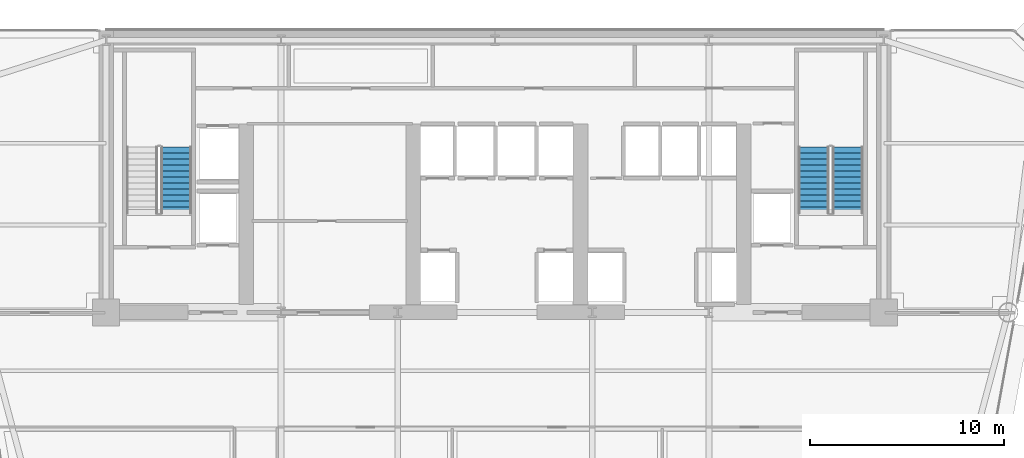
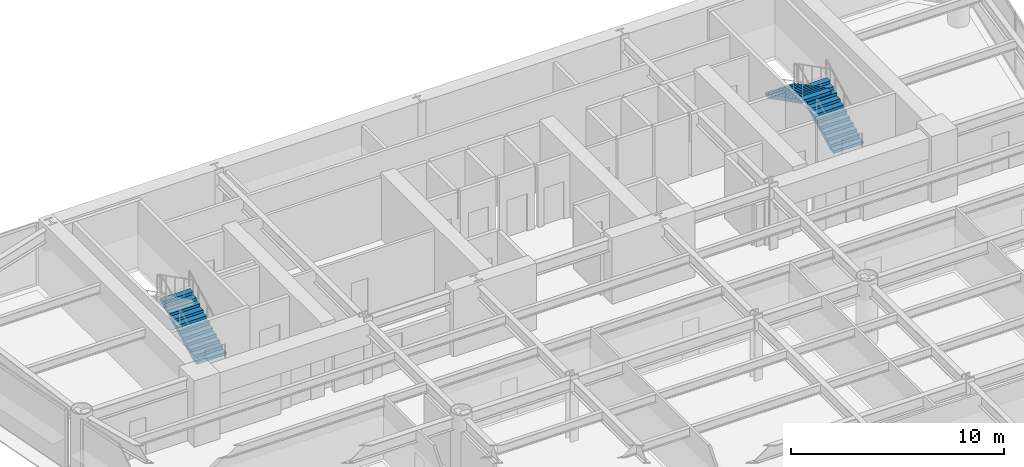
# One storey, part 10 of 14: 3 stair flights, 2 elements without a shape of their own.
"""IFC4 building model written with IfcOpenShell, lengths in metres."""

from ifc_helpers import new_model, si_unit, direction, frame, origin, place, context, subcontext, project, spatial, polyline, outline, extrude, material, type_object, element, aggregate, save


model = new_model("IFC4")

# Units and contexts
model_context = context("Model", 3, precision=1e-05, world=origin(), true_north=direction((0.0, 1.0)))
body_context = subcontext(model_context, "Body", "Model", "MODEL_VIEW")
ifc_project = project(units=[si_unit("LENGTHUNIT", "METRE"), si_unit("AREAUNIT", "SQUARE_METRE"), si_unit("VOLUMEUNIT", "CUBIC_METRE"), si_unit("PLANEANGLEUNIT", "RADIAN"), si_unit("MASSUNIT", "GRAM", prefix="KILO")], contexts=[model_context])

# Site, building, storey
site_placement = place(None, origin())
site = spatial("IfcSite", under=ifc_project, at=site_placement, CompositionType="ELEMENT")
building_placement = place(site_placement, origin())
building = spatial("IfcBuilding", under=site, at=building_placement, Name="Vaeldorn Concourse Tower", CompositionType="ELEMENT")
storey_placement = place(building_placement, frame((0.0, 0.0, 114.800048828125)))
storey = spatial("IfcBuildingStorey", under=building, at=storey_placement, Name="L29", CompositionType="ELEMENT", Elevation=114.800048828125)

# Stair, stair flight
ifc_material = material(Name="Precast concrete C40/50", Category="concrete")
stair_type = type_object("IfcStairType", Name="STR-DOG-24x158", PredefinedType="HALF_TURN_STAIR", material=ifc_material)
stair_1_placement = place(storey_placement, origin())
stair_1 = element("IfcStair", 1, at=stair_1_placement, inside=storey, type_object=stair_type, Name="L29 West Core Exit Stair ST-1", PredefinedType="HALF_TURN_STAIR")
stair_flight_type = type_object("IfcStairFlightType", Name="STF-STR-12x158", PredefinedType="STRAIGHT", material=ifc_material)
stair_flight_1_placement = place(storey_placement, frame((17.60009765625, 41.60009765625, 0.0), z_axis=(0.0, 0.0, 1.0), x_axis=(0.0, 1.0, 0.0)))
stair_flight_1 = element("IfcStairFlight", 2, at=stair_flight_1_placement, type_object=stair_flight_type, Name="ST-1 flight 1", NumberOfRisers=12, NumberOfTreads=11, PredefinedType="STRAIGHT", RiserHeight=0.158333333, TreadLength=0.31, context=body_context, shape_type="SweptSolid", body=[
    extrude(outline(polyline([(0.0, 0.0), (0.0, 0.158447265625), (0.31005859375, 0.158447265625), (0.31005859375, 0.316650390625), (0.6201171875, 0.316650390625), (0.6201171875, 0.47509765625), (0.929931640625, 0.47509765625), (0.929931640625, 0.63330078125), (1.239990234375, 0.63330078125), (1.239990234375, 0.791748046875), (1.550048828125, 0.791748046875), (1.550048828125, 0.949951171875), (1.860107421875, 0.949951171875), (1.860107421875, 1.1083984375), (2.169921875, 1.1083984375), (2.169921875, 1.2666015625), (2.47998046875, 1.2666015625), (2.47998046875, 1.425048828125), (2.7900390625, 1.425048828125), (2.7900390625, 1.583251953125), (3.10009765625, 1.583251953125), (3.10009765625, 1.74169921875), (3.409912109375, 1.74169921875), (3.409912109375, 1.89990234375), (3.409912109375, 1.5732421875), (0.32958984375, 0.0), (0.0, 0.0)])), frame((0.0, 0.800048828125, 0.0), z_axis=(0.0, -1.0, 0.0), x_axis=(1.0, 0.0, 0.0)), (0.0, 0.0, 1.0), 1.60009765625),
])
aggregate(stair_1, [stair_flight_1])

# Stair, stair flights
stair_2_placement = place(storey_placement, origin())
stair_2 = element("IfcStair", 3, at=stair_2_placement, inside=storey, type_object=stair_type, Name="L29 East Core Exit Stair ST-2", PredefinedType="HALF_TURN_STAIR")
stair_flight_2_placement = place(storey_placement, frame((52.14990234375, 41.60009765625, 0.0), z_axis=(0.0, 0.0, 1.0), x_axis=(0.0, 1.0, 0.0)))
stair_flight_2 = element("IfcStairFlight", 4, at=stair_flight_2_placement, type_object=stair_flight_type, Name="ST-2 flight 1", NumberOfRisers=12, NumberOfTreads=11, PredefinedType="STRAIGHT", RiserHeight=0.158333333, TreadLength=0.31, context=body_context, shape_type="SweptSolid", body=[
    extrude(outline(polyline([(0.0, 0.0), (0.0, 0.158447265625), (0.31005859375, 0.158447265625), (0.31005859375, 0.316650390625), (0.6201171875, 0.316650390625), (0.6201171875, 0.47509765625), (0.929931640625, 0.47509765625), (0.929931640625, 0.63330078125), (1.239990234375, 0.63330078125), (1.239990234375, 0.791748046875), (1.550048828125, 0.791748046875), (1.550048828125, 0.949951171875), (1.860107421875, 0.949951171875), (1.860107421875, 1.1083984375), (2.169921875, 1.1083984375), (2.169921875, 1.2666015625), (2.47998046875, 1.2666015625), (2.47998046875, 1.425048828125), (2.7900390625, 1.425048828125), (2.7900390625, 1.583251953125), (3.10009765625, 1.583251953125), (3.10009765625, 1.74169921875), (3.409912109375, 1.74169921875), (3.409912109375, 1.89990234375), (3.409912109375, 1.5732421875), (0.32958984375, 0.0), (0.0, 0.0)])), frame((0.0, 0.800048828125, 0.0), z_axis=(0.0, -1.0, 0.0), x_axis=(1.0, 0.0, 0.0)), (0.0, 0.0, 1.0), 1.60009765625),
])
stair_flight_3_placement = place(storey_placement, frame((50.39990234375, 45.010009765625, 1.89990234375), z_axis=(0.0, 0.0, 1.0), x_axis=(0.0, -1.0, 0.0)))
stair_flight_3 = element("IfcStairFlight", 5, at=stair_flight_3_placement, type_object=stair_flight_type, Name="ST-2 flight 2", NumberOfRisers=12, NumberOfTreads=11, PredefinedType="STRAIGHT", RiserHeight=0.158333333, TreadLength=0.31, context=body_context, shape_type="SweptSolid", body=[
    extrude(outline(polyline([(0.0, 0.0), (0.0, 0.158447265625), (0.31005859375, 0.158447265625), (0.31005859375, 0.316650390625), (0.6201171875, 0.316650390625), (0.6201171875, 0.47509765625), (0.929931640625, 0.47509765625), (0.929931640625, 0.63330078125), (1.239990234375, 0.63330078125), (1.239990234375, 0.791748046875), (1.550048828125, 0.791748046875), (1.550048828125, 0.949951171875), (1.860107421875, 0.949951171875), (1.860107421875, 1.1083984375), (2.169921875, 1.1083984375), (2.169921875, 1.2666015625), (2.47998046875, 1.2666015625), (2.47998046875, 1.425048828125), (2.7900390625, 1.425048828125), (2.7900390625, 1.583251953125), (3.10009765625, 1.583251953125), (3.10009765625, 1.74169921875), (3.409912109375, 1.74169921875), (3.409912109375, 1.89990234375), (3.409912109375, 1.5732421875), (0.32958984375, 0.0), (0.0, 0.0)])), frame((0.0, 0.800048828125, 0.0), z_axis=(0.0, -1.0, 0.0), x_axis=(1.0, 0.0, 0.0)), (0.0, 0.0, 1.0), 1.60009765625),
])
aggregate(stair_2, [stair_flight_2, stair_flight_3])

save(model, "model.ifc")
